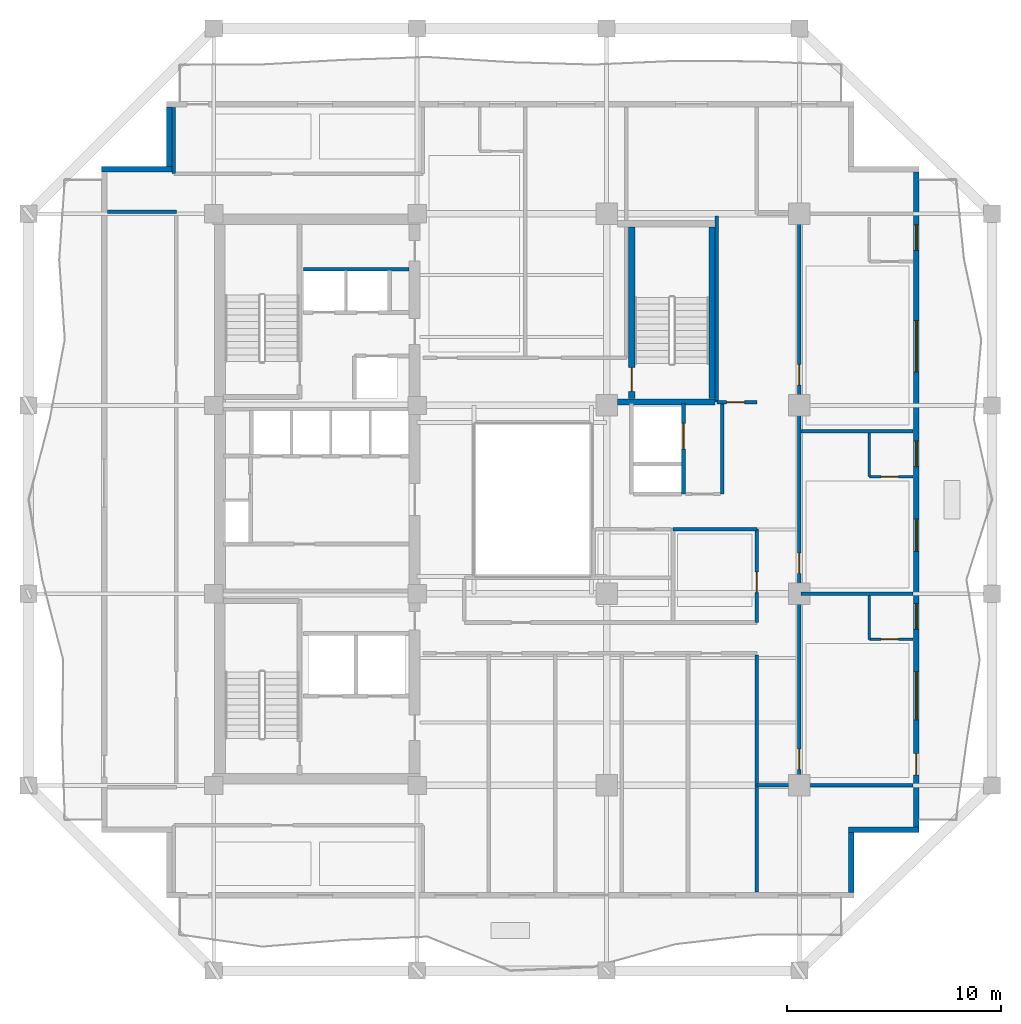
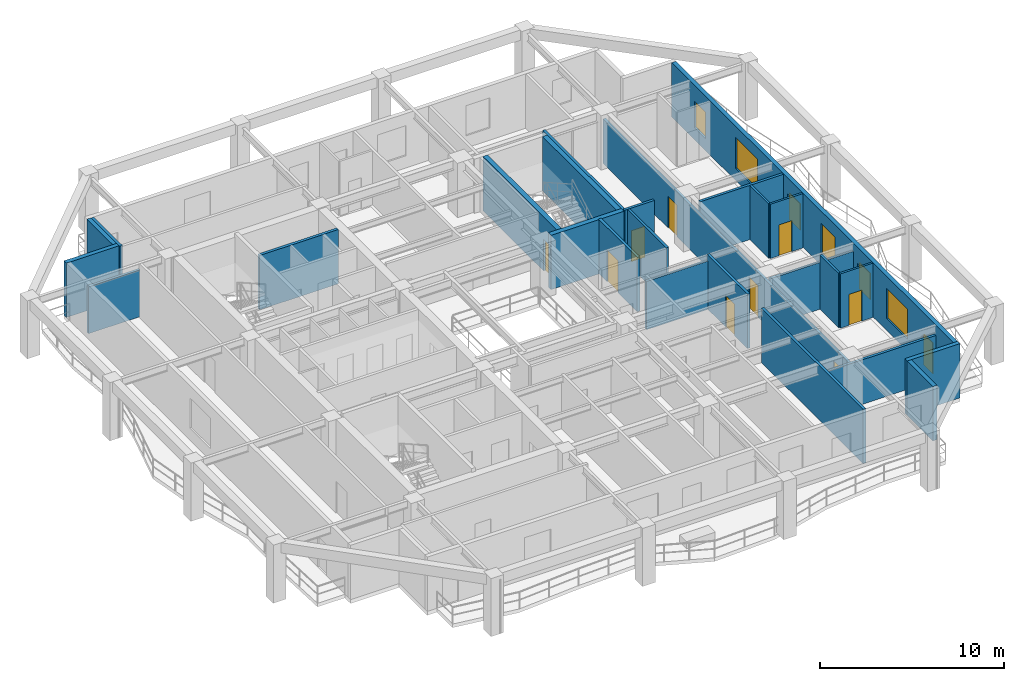
# One storey, part 5 of 10: 26 walls, 10 doors, 6 windows, 16 openings.
"""IFC4 building model written with IfcOpenShell, lengths in metres."""

from ifc_helpers import new_model, si_unit, direction, frame, frame_2d, origin, place, context, subcontext, project, spatial, rectangle, extrude, material, layer, layer_set, type_object, element, fill, save


model = new_model("IFC4")

# Units and contexts
model_context = context("Model", 3, precision=1e-05, world=origin(), true_north=direction((0.0, 1.0)))
body_context = subcontext(model_context, "Body", "Model", "MODEL_VIEW")
ifc_project = project(units=[si_unit("LENGTHUNIT", "METRE"), si_unit("AREAUNIT", "SQUARE_METRE"), si_unit("VOLUMEUNIT", "CUBIC_METRE"), si_unit("PLANEANGLEUNIT", "RADIAN"), si_unit("MASSUNIT", "GRAM", prefix="KILO")], contexts=[model_context])

# Site, building, storey
site_placement = place(None, origin())
site = spatial("IfcSite", under=ifc_project, at=site_placement, CompositionType="ELEMENT")
building_placement = place(site_placement, origin())
building = spatial("IfcBuilding", under=site, at=building_placement, Name="Kundavana Baori Tower", CompositionType="ELEMENT")
storey_placement = place(building_placement, frame((0.0, 0.0, 138.64990234375)))
storey = spatial("IfcBuildingStorey", under=building, at=storey_placement, Name="L33", CompositionType="ELEMENT", Elevation=138.64990234375)

# Walls
ifc_material_1 = material(Name="Kiln-Fired Terracotta Brick-Slip Masonry on Concrete C40/50", Category="masonry")
ifc_layer_1 = layer(ifc_material_1, 0.260009765625, Name="WL-EXT-BRK-260")
ifc_layer_set_1 = layer_set([ifc_layer_1], Name="Kiln-Fired Terracotta Brick-Slip Masonry on Concrete C40/50")
wall_type_1 = type_object("IfcWallType", Name="WL-EXT-BRK-260", PredefinedType="SOLIDWALL", material=ifc_layer_set_1)
wall_1_placement = place(storey_placement, frame((45.219970703125, 10.260009765625, 0.0), z_axis=(0.0, 0.0, 1.0), x_axis=(0.0, 1.0, 0.0)))
element("IfcWall", 1, at=wall_1_placement, inside=storey, type_object=wall_type_1, Name="L33 Exterior Insulated Facade Wall 02", PredefinedType="SOLIDWALL", context=body_context, shape_type="SweptSolid", body=[
    extrude(rectangle(XDim=2.7900390625, YDim=0.260009765625, at=frame_2d((1.39501953125, 0.0))), origin(), (0.0, 0.0, 1.0), 3.60009765625),
])
wall_2_placement = place(storey_placement, frame((45.090087890625, 13.179931640625, 0.0), z_axis=(0.0, 0.0, 1.0), x_axis=(1.0, 0.0, 0.0)))
element("IfcWall", 2, at=wall_2_placement, inside=storey, type_object=wall_type_1, Name="L33 Exterior Insulated Facade Wall 03", PredefinedType="SOLIDWALL", context=body_context, shape_type="SweptSolid", body=[
    extrude(rectangle(XDim=3.309814453125, YDim=0.260009765625, at=frame_2d((1.65478515625, 0.0))), origin(), (0.0, 0.0, 1.0), 3.60009765625),
])

# Wall, openings, door, windows
wall_3_placement = place(storey_placement, frame((48.27001953125, 13.31005859375, 0.0), z_axis=(0.0, 0.0, 1.0), x_axis=(0.0, 1.0, 0.0)))
wall_3 = element("IfcWall", 3, at=wall_3_placement, inside=storey, type_object=wall_type_1, Name="L33 Exterior Insulated Facade Wall 04", PredefinedType="SOLIDWALL", context=body_context, shape_type="SweptSolid", body=[
    extrude(rectangle(XDim=30.579833984375, YDim=0.260009765625, at=frame_2d((15.2900390625, 0.0))), origin(), (0.0, 0.0, 1.0), 3.60009765625),
])
opening_1_placement = place(wall_3_placement, frame((2.429931640625, 0.0, 0.0)))
opening_1 = element("IfcOpeningElement", 4, at=opening_1_placement, cuts=wall_3, Name="Opening BD-1", PredefinedType="OPENING", context=body_context, shape_type="SweptSolid", body=[
    extrude(rectangle(XDim=1.0, YDim=2.050048828125, at=frame_2d((0.5, 1.02490234375))), frame((0.0, 0.14013671875, 0.0), z_axis=(0.0, -1.0, 0.0), x_axis=(1.0, 0.0, 0.0)), (0.0, 0.0, 1.0), 0.280029296875),
])
opening_2_placement = place(wall_3_placement, frame((5.0, 0.0, 0.800048828125)))
opening_2 = element("IfcOpeningElement", 5, at=opening_2_placement, cuts=wall_3, Name="Opening W-10", PredefinedType="OPENING", context=body_context, shape_type="SweptSolid", body=[
    extrude(rectangle(XDim=2.25, YDim=2.0, at=frame_2d((1.125, 1.0))), frame((0.0, 0.14013671875, 0.0), z_axis=(0.0, -1.0, 0.0), x_axis=(1.0, 0.0, 0.0)), (0.0, 0.0, 1.0), 0.280029296875),
])
opening_3_placement = place(wall_3_placement, frame((9.22509765625, 0.0, 0.800048828125)))
opening_3 = element("IfcOpeningElement", 6, at=opening_3_placement, cuts=wall_3, Name="Opening W-03", PredefinedType="OPENING", context=body_context, shape_type="SweptSolid", body=[
    extrude(rectangle(XDim=1.199951171875, YDim=1.75, at=frame_2d((0.60009765625, 0.875))), frame((0.0, 0.14013671875, 0.0), z_axis=(0.0, -1.0, 0.0), x_axis=(1.0, 0.0, 0.0)), (0.0, 0.0, 1.0), 0.280029296875),
])
opening_4_placement = place(wall_3_placement, frame((12.875, 0.0, 0.800048828125)))
opening_4 = element("IfcOpeningElement", 7, at=opening_4_placement, cuts=wall_3, Name="Opening W-02", PredefinedType="OPENING", context=body_context, shape_type="SweptSolid", body=[
    extrude(rectangle(XDim=1.5, YDim=2.0, at=frame_2d((0.75, 1.0))), frame((0.0, 0.14013671875, 0.0), z_axis=(0.0, -1.0, 0.0), x_axis=(1.0, 0.0, 0.0)), (0.0, 0.0, 1.0), 0.280029296875),
])
opening_5_placement = place(wall_3_placement, frame((16.824951171875, 0.0, 0.800048828125)))
opening_5 = element("IfcOpeningElement", 8, at=opening_5_placement, cuts=wall_3, Name="Opening W-03", PredefinedType="OPENING", context=body_context, shape_type="SweptSolid", body=[
    extrude(rectangle(XDim=1.199951171875, YDim=1.75, at=frame_2d((0.60009765625, 0.875))), frame((0.0, 0.14013671875, 0.0), z_axis=(0.0, -1.0, 0.0), x_axis=(1.0, 0.0, 0.0)), (0.0, 0.0, 1.0), 0.280029296875),
])
opening_6_placement = place(wall_3_placement, frame((21.25, 0.0, 0.800048828125)))
opening_6 = element("IfcOpeningElement", 9, at=opening_6_placement, cuts=wall_3, Name="Opening W-04", PredefinedType="OPENING", context=body_context, shape_type="SweptSolid", body=[
    extrude(rectangle(XDim=2.39990234375, YDim=2.050048828125, at=frame_2d((1.199951171875, 1.02490234375))), frame((0.0, 0.14013671875, 0.0), z_axis=(0.0, -1.0, 0.0), x_axis=(1.0, 0.0, 0.0)), (0.0, 0.0, 1.0), 0.280029296875),
])
opening_7_placement = place(wall_3_placement, frame((26.925048828125, 0.0, 0.800048828125)))
opening_7 = element("IfcOpeningElement", 10, at=opening_7_placement, cuts=wall_3, Name="Opening W-03", PredefinedType="OPENING", context=body_context, shape_type="SweptSolid", body=[
    extrude(rectangle(XDim=1.199951171875, YDim=1.75, at=frame_2d((0.60009765625, 0.875))), frame((0.0, 0.14013671875, 0.0), z_axis=(0.0, -1.0, 0.0), x_axis=(1.0, 0.0, 0.0)), (0.0, 0.0, 1.0), 0.280029296875),
])
ifc_material_2 = material(Name="Architectural Patinated Bronze Metalwork")
door_type_1 = type_object("IfcDoorType", Name="DR-EXT-LOG-1000", OperationType="NOTDEFINED", PredefinedType="DOOR", material=ifc_material_2)
door_1_placement = place(opening_1_placement, frame((1.0, 0.0, 0.0), z_axis=(0.0, 0.0, 1.0), x_axis=(-1.0, 0.0, 0.0)))
door_1 = element("IfcDoor", 11, at=door_1_placement, inside=storey, type_object=door_type_1, Name="L33 Loggia Balcony Access Door E", OperationType="SINGLE_SWING_RIGHT", OverallHeight=2.050048828125, OverallWidth=1.0, PredefinedType="DOOR", context=body_context, shape_type="SweptSolid", body=[
    extrude(rectangle(XDim=1.0, YDim=2.050048828125, at=frame_2d((0.5, 1.02490234375))), frame((0.0, 0.02490234375, 0.0), z_axis=(0.0, -1.0, 0.0), x_axis=(1.0, 0.0, 0.0)), (0.0, 0.0, 1.0), 0.050048828125),
])
fill(opening_1, door_1)
ifc_material_3 = material(Name="Double-Glazed Solar-Control Low-E Insulated Glass", Category="glass")
window_type_1 = type_object("IfcWindowType", Name="WIN-LOG-1200x1750", PartitioningType="SINGLE_PANEL", PredefinedType="WINDOW", material=ifc_material_3)
window_1_placement = place(opening_3_placement, origin())
window_1 = element("IfcWindow", 12, at=window_1_placement, inside=storey, type_object=window_type_1, Name="L33 Recessed Loggia Window E-2", OverallHeight=1.75, OverallWidth=1.199951171875, PartitioningType="SINGLE_PANEL", PredefinedType="WINDOW", context=body_context, shape_type="SweptSolid", body=[
    extrude(rectangle(XDim=1.199951171875, YDim=1.75, at=frame_2d((0.60009765625, 0.875))), frame((0.0, 0.030029296875, 0.0), z_axis=(0.0, -1.0, 0.0), x_axis=(1.0, 0.0, 0.0)), (0.0, 0.0, 1.0), 0.06005859375),
])
fill(opening_3, window_1)
window_2_placement = place(opening_5_placement, origin())
window_2 = element("IfcWindow", 13, at=window_2_placement, inside=storey, type_object=window_type_1, Name="L33 Recessed Loggia Window E-4", OverallHeight=1.75, OverallWidth=1.199951171875, PartitioningType="SINGLE_PANEL", PredefinedType="WINDOW", context=body_context, shape_type="SweptSolid", body=[
    extrude(rectangle(XDim=1.199951171875, YDim=1.75, at=frame_2d((0.60009765625, 0.875))), frame((0.0, 0.030029296875, 0.0), z_axis=(0.0, -1.0, 0.0), x_axis=(1.0, 0.0, 0.0)), (0.0, 0.0, 1.0), 0.06005859375),
])
fill(opening_5, window_2)
window_3_placement = place(opening_7_placement, origin())
window_3 = element("IfcWindow", 14, at=window_3_placement, inside=storey, type_object=window_type_1, Name="L33 Recessed Loggia Window E-6", OverallHeight=1.75, OverallWidth=1.199951171875, PartitioningType="SINGLE_PANEL", PredefinedType="WINDOW", context=body_context, shape_type="SweptSolid", body=[
    extrude(rectangle(XDim=1.199951171875, YDim=1.75, at=frame_2d((0.60009765625, 0.875))), frame((0.0, 0.030029296875, 0.0), z_axis=(0.0, -1.0, 0.0), x_axis=(1.0, 0.0, 0.0)), (0.0, 0.0, 1.0), 0.06005859375),
])
fill(opening_7, window_3)
ifc_material_4 = material(Name="Double-Glazed Solar-Control Low-E Insulated Glass", Category="glass")
window_type_2 = type_object("IfcWindowType", Name="WIN-LOG-1500x2000", PartitioningType="SINGLE_PANEL", PredefinedType="WINDOW", material=ifc_material_4)
window_4_placement = place(opening_4_placement, origin())
window_4 = element("IfcWindow", 15, at=window_4_placement, inside=storey, type_object=window_type_2, Name="L33 Recessed Loggia Window E-3", OverallHeight=2.0, OverallWidth=1.5, PartitioningType="SINGLE_PANEL", PredefinedType="WINDOW", context=body_context, shape_type="SweptSolid", body=[
    extrude(rectangle(XDim=1.5, YDim=2.0, at=frame_2d((0.75, 1.0))), frame((0.0, 0.030029296875, 0.0), z_axis=(0.0, -1.0, 0.0), x_axis=(1.0, 0.0, 0.0)), (0.0, 0.0, 1.0), 0.06005859375),
])
fill(opening_4, window_4)
ifc_material_5 = material(Name="Double-Glazed Solar-Control Low-E Insulated Glass", Category="glass")
window_type_3 = type_object("IfcWindowType", Name="WIN-LOG-2250x2000", PartitioningType="SINGLE_PANEL", PredefinedType="WINDOW", material=ifc_material_5)
window_5_placement = place(opening_2_placement, origin())
window_5 = element("IfcWindow", 16, at=window_5_placement, inside=storey, type_object=window_type_3, Name="L33 Recessed Loggia Window E-1", OverallHeight=2.0, OverallWidth=2.25, PartitioningType="SINGLE_PANEL", PredefinedType="WINDOW", context=body_context, shape_type="SweptSolid", body=[
    extrude(rectangle(XDim=2.25, YDim=2.0, at=frame_2d((1.125, 1.0))), frame((0.0, 0.030029296875, 0.0), z_axis=(0.0, -1.0, 0.0), x_axis=(1.0, 0.0, 0.0)), (0.0, 0.0, 1.0), 0.06005859375),
])
fill(opening_2, window_5)
ifc_material_6 = material(Name="Double-Glazed Solar-Control Low-E Insulated Glass", Category="glass")
window_type_4 = type_object("IfcWindowType", Name="WIN-LOG-2400x2050", PartitioningType="SINGLE_PANEL", PredefinedType="WINDOW", material=ifc_material_6)
window_6_placement = place(opening_6_placement, origin())
window_6 = element("IfcWindow", 17, at=window_6_placement, inside=storey, type_object=window_type_4, Name="L33 Recessed Loggia Window E-5", OverallHeight=2.050048828125, OverallWidth=2.39990234375, PartitioningType="SINGLE_PANEL", PredefinedType="WINDOW", context=body_context, shape_type="SweptSolid", body=[
    extrude(rectangle(XDim=2.39990234375, YDim=2.050048828125, at=frame_2d((1.199951171875, 1.02490234375))), frame((0.0, 0.030029296875, 0.0), z_axis=(0.0, -1.0, 0.0), x_axis=(1.0, 0.0, 0.0)), (0.0, 0.0, 1.0), 0.06005859375),
])
fill(opening_6, window_6)

# Walls
wall_4_placement = place(storey_placement, frame((13.3798828125, 46.93994140625, 0.0), z_axis=(0.0, 0.0, 1.0), x_axis=(0.0, -1.0, 0.0)))
element("IfcWall", 18, at=wall_4_placement, inside=storey, type_object=wall_type_1, Name="L33 Exterior Insulated Facade Wall 08", PredefinedType="SOLIDWALL", context=body_context, shape_type="SweptSolid", body=[
    extrude(rectangle(XDim=2.7900390625, YDim=0.260009765625, at=frame_2d((1.39501953125, 0.0))), origin(), (0.0, 0.0, 1.0), 3.60009765625),
])
wall_5_placement = place(storey_placement, frame((13.510009765625, 44.02001953125, 0.0), z_axis=(0.0, 0.0, 1.0), x_axis=(-1.0, 0.0, 0.0)))
element("IfcWall", 19, at=wall_5_placement, inside=storey, type_object=wall_type_1, Name="L33 Exterior Insulated Facade Wall 09", PredefinedType="SOLIDWALL", context=body_context, shape_type="SweptSolid", body=[
    extrude(rectangle(XDim=3.31005859375, YDim=0.260009765625, at=frame_2d((1.655029296875, 0.0))), origin(), (0.0, 0.0, 1.0), 3.60009765625),
])
ifc_material_7 = material(Name="Fire-Rated Gypsum Drywall on Galvanised Steel Studs", Category="steel")
ifc_layer_2 = layer(ifc_material_7, 0.14990234375, Name="WL-PART-150")
ifc_layer_set_2 = layer_set([ifc_layer_2], Name="Fire-Rated Gypsum Drywall on Galvanised Steel Studs")
wall_type_2 = type_object("IfcWallType", Name="WL-PART-150", PredefinedType="PARTITIONING", material=ifc_layer_set_2)
wall_6_placement = place(storey_placement, frame((39.199951171875, 28.860107421875, 0.0), z_axis=(0.0, 0.0, 1.0), x_axis=(0.0, 1.0, 0.0)))
element("IfcWall", 20, at=wall_6_placement, inside=storey, type_object=wall_type_2, Name="WL-L33-SVLOB-E", PredefinedType="PARTITIONING", context=body_context, shape_type="SweptSolid", body=[
    extrude(rectangle(XDim=4.219970703125, YDim=0.14990234375, at=frame_2d((2.10986328125, 0.0))), origin(), (0.0, 0.0, 1.0), 3.60009765625),
])

# Wall, openings, doors
ifc_material_8 = material(Name="Fire-Rated Gypsum Drywall on Galvanised Steel Studs", Category="steel")
ifc_layer_3 = layer(ifc_material_8, 0.1650390625, Name="WL-PART-165")
ifc_layer_set_3 = layer_set([ifc_layer_3], Name="Fire-Rated Gypsum Drywall on Galvanised Steel Studs")
wall_type_3 = type_object("IfcWallType", Name="WL-PART-165", PredefinedType="PARTITIONING", material=ifc_layer_set_3)
wall_7_placement = place(storey_placement, frame((42.800048828125, 15.25, 0.0), z_axis=(0.0, 0.0, 1.0), x_axis=(0.0, 1.0, 0.0)))
wall_7 = element("IfcWall", 21, at=wall_7_placement, inside=storey, type_object=wall_type_3, Name="WL-L33-HE", PredefinedType="PARTITIONING", context=body_context, shape_type="SweptSolid", body=[
    extrude(rectangle(XDim=26.699951171875, YDim=0.1650390625, at=frame_2d((13.35009765625, 0.0))), origin(), (0.0, 0.0, 1.0), 2.9501953125),
])
opening_8_placement = place(wall_7_placement, frame((0.75, 0.0, 0.0)))
opening_8 = element("IfcOpeningElement", 22, at=opening_8_placement, cuts=wall_7, Name="Opening FD-095", PredefinedType="OPENING", context=body_context, shape_type="SweptSolid", body=[
    extrude(rectangle(XDim=0.949951171875, YDim=2.10009765625, at=frame_2d((0.47509765625, 1.050048828125))), frame((0.0, 0.092529296875, 0.0), z_axis=(0.0, -1.0, 0.0), x_axis=(1.0, 0.0, 0.0)), (0.0, 0.0, 1.0), 0.18505859375),
])
opening_9_placement = place(wall_7_placement, frame((9.89990234375, 0.0, 0.0)))
opening_9 = element("IfcOpeningElement", 23, at=opening_9_placement, cuts=wall_7, Name="Opening FD-095", PredefinedType="OPENING", context=body_context, shape_type="SweptSolid", body=[
    extrude(rectangle(XDim=0.949951171875, YDim=2.10009765625, at=frame_2d((0.47509765625, 1.050048828125))), frame((0.0, 0.092529296875, 0.0), z_axis=(0.0, -1.0, 0.0), x_axis=(1.0, 0.0, 0.0)), (0.0, 0.0, 1.0), 0.18505859375),
])
opening_10_placement = place(wall_7_placement, frame((18.699951171875, 0.0, 0.0)))
opening_10 = element("IfcOpeningElement", 24, at=opening_10_placement, cuts=wall_7, Name="Opening FD-095", PredefinedType="OPENING", context=body_context, shape_type="SweptSolid", body=[
    extrude(rectangle(XDim=0.949951171875, YDim=2.10009765625, at=frame_2d((0.47509765625, 1.050048828125))), frame((0.0, 0.092529296875, 0.0), z_axis=(0.0, -1.0, 0.0), x_axis=(1.0, 0.0, 0.0)), (0.0, 0.0, 1.0), 0.18505859375),
])
ifc_material_9 = material(Name="Engineered Teak Fire-Rated Timber Door Leaf", Category="wood")
door_type_2 = type_object("IfcDoorType", Name="DR-FD60-950", OperationType="NOTDEFINED", PredefinedType="DOOR", material=ifc_material_9)
door_2_placement = place(opening_8_placement, origin())
door_2 = element("IfcDoor", 25, at=door_2_placement, inside=storey, type_object=door_type_2, Name="DR-L33-HK-E1-ENT", OperationType="SINGLE_SWING_LEFT", OverallHeight=2.10009765625, OverallWidth=0.949951171875, PredefinedType="DOOR", context=body_context, shape_type="SweptSolid", body=[
    extrude(rectangle(XDim=0.949951171875, YDim=2.10009765625, at=frame_2d((0.47509765625, 1.050048828125))), frame((0.0, 0.02490234375, 0.0), z_axis=(0.0, -1.0, 0.0), x_axis=(1.0, 0.0, 0.0)), (0.0, 0.0, 1.0), 0.050048828125),
])
fill(opening_8, door_2)
door_3_placement = place(opening_9_placement, origin())
door_3 = element("IfcDoor", 26, at=door_3_placement, inside=storey, type_object=door_type_2, Name="DR-L33-HK-E2-ENT", OperationType="SINGLE_SWING_LEFT", OverallHeight=2.10009765625, OverallWidth=0.949951171875, PredefinedType="DOOR", context=body_context, shape_type="SweptSolid", body=[
    extrude(rectangle(XDim=0.949951171875, YDim=2.10009765625, at=frame_2d((0.47509765625, 1.050048828125))), frame((0.0, 0.02490234375, 0.0), z_axis=(0.0, -1.0, 0.0), x_axis=(1.0, 0.0, 0.0)), (0.0, 0.0, 1.0), 0.050048828125),
])
fill(opening_9, door_3)
door_4_placement = place(opening_10_placement, origin())
door_4 = element("IfcDoor", 27, at=door_4_placement, inside=storey, type_object=door_type_2, Name="DR-L33-HK-E3-ENT", OperationType="SINGLE_SWING_LEFT", OverallHeight=2.10009765625, OverallWidth=0.949951171875, PredefinedType="DOOR", context=body_context, shape_type="SweptSolid", body=[
    extrude(rectangle(XDim=0.949951171875, YDim=2.10009765625, at=frame_2d((0.47509765625, 1.050048828125))), frame((0.0, 0.02490234375, 0.0), z_axis=(0.0, -1.0, 0.0), x_axis=(1.0, 0.0, 0.0)), (0.0, 0.0, 1.0), 0.050048828125),
])
fill(opening_10, door_4)

# Wall
wall_8_placement = place(storey_placement, frame((40.820068359375, 15.25, 0.0), z_axis=(0.0, 0.0, 1.0), x_axis=(1.0, 0.0, 0.0)))
element("IfcWall", 28, at=wall_8_placement, inside=storey, type_object=wall_type_3, Name="WL-L33-HES", PredefinedType="PARTITIONING", context=body_context, shape_type="SweptSolid", body=[
    extrude(rectangle(XDim=7.300048828125, YDim=0.1650390625, at=frame_2d((3.64990234375, 0.0))), origin(), (0.0, 0.0, 1.0), 2.9501953125),
])

# Wall, opening, door
wall_9_placement = place(storey_placement, frame((40.820068359375, 22.860107421875, 0.0), z_axis=(0.0, 0.0, 1.0), x_axis=(0.0, 1.0, 0.0)))
wall_9 = element("IfcWall", 29, at=wall_9_placement, inside=storey, type_object=wall_type_3, Name="WL-L33-HEW", PredefinedType="PARTITIONING", context=body_context, shape_type="SweptSolid", body=[
    extrude(rectangle(XDim=4.35986328125, YDim=0.1650390625, at=frame_2d((2.179931640625, 0.0))), origin(), (0.0, 0.0, 1.0), 3.60009765625),
])
opening_11_placement = place(wall_9_placement, frame((1.39990234375, 0.0, 0.0)))
opening_11 = element("IfcOpeningElement", 30, at=opening_11_placement, cuts=wall_9, Name="Opening FD-095", PredefinedType="OPENING", context=body_context, shape_type="SweptSolid", body=[
    extrude(rectangle(XDim=0.949951171875, YDim=2.10009765625, at=frame_2d((0.47509765625, 1.050048828125))), frame((0.0, 0.092529296875, 0.0), z_axis=(0.0, -1.0, 0.0), x_axis=(1.0, 0.0, 0.0)), (0.0, 0.0, 1.0), 0.18505859375),
])
door_5_placement = place(opening_11_placement, frame((0.949951171875, 0.0, 0.0), z_axis=(0.0, 0.0, 1.0), x_axis=(-1.0, 0.0, 0.0)))
door_5 = element("IfcDoor", 31, at=door_5_placement, inside=storey, type_object=door_type_2, Name="DR-L33-HSK", OperationType="SINGLE_SWING_RIGHT", OverallHeight=2.10009765625, OverallWidth=0.949951171875, PredefinedType="DOOR", context=body_context, shape_type="SweptSolid", body=[
    extrude(rectangle(XDim=0.949951171875, YDim=2.10009765625, at=frame_2d((0.47509765625, 1.050048828125))), frame((0.0, 0.02490234375, 0.0), z_axis=(0.0, -1.0, 0.0), x_axis=(1.0, 0.0, 0.0)), (0.0, 0.0, 1.0), 0.050048828125),
])
fill(opening_11, door_5)

# Walls
wall_10_placement = place(storey_placement, frame((10.47998046875, 42.0400390625, 0.0), z_axis=(0.0, 0.0, 1.0), x_axis=(1.0, 0.0, 0.0)))
element("IfcWall", 32, at=wall_10_placement, inside=storey, type_object=wall_type_3, Name="WL-L33-HWN", PredefinedType="PARTITIONING", context=body_context, shape_type="SweptSolid", body=[
    extrude(rectangle(XDim=3.219970703125, YDim=0.1650390625, at=frame_2d((1.60986328125, 0.0))), origin(), (0.0, 0.0, 1.0), 3.10009765625),
])
wall_11_placement = place(storey_placement, frame((13.590087890625, 43.820068359375, 0.0), z_axis=(0.0, 0.0, 1.0), x_axis=(0.0, 1.0, 0.0)))
element("IfcWall", 33, at=wall_11_placement, inside=storey, type_object=wall_type_3, Name="WL-L33-HNCW", PredefinedType="PARTITIONING", context=body_context, shape_type="SweptSolid", body=[
    extrude(rectangle(XDim=3.099853515625, YDim=0.1650390625, at=frame_2d((1.5498046875, 0.0))), origin(), (0.0, 0.0, 1.0), 3.60009765625),
])
wall_12_placement = place(storey_placement, frame((36.89990234375, 27.219970703125, 0.0), z_axis=(0.0, 0.0, 1.0), x_axis=(1.0, 0.0, 0.0)))
element("IfcWall", 34, at=wall_12_placement, inside=storey, type_object=wall_type_3, Name="WL-L33-HKN", PredefinedType="PARTITIONING", context=body_context, shape_type="SweptSolid", body=[
    extrude(rectangle(XDim=3.920166015625, YDim=0.1650390625, at=frame_2d((1.9599609375, 0.0))), origin(), (0.0, 0.0, 1.0), 3.2001953125),
])
wall_13_placement = place(storey_placement, frame((40.820068359375, 10.280029296875, 0.0), z_axis=(0.0, 0.0, 1.0), x_axis=(0.0, 1.0, 0.0)))
element("IfcWall", 35, at=wall_13_placement, inside=storey, type_object=wall_type_3, Name="WL-L33-HSEND", PredefinedType="PARTITIONING", context=body_context, shape_type="SweptSolid", body=[
    extrude(rectangle(XDim=11.06005859375, YDim=0.1650390625, at=frame_2d((5.530029296875, 0.0))), origin(), (0.0, 0.0, 1.0), 3.60009765625),
])
wall_14_placement = place(storey_placement, frame((42.8798828125, 24.199951171875, 0.0), z_axis=(0.0, 0.0, 1.0), x_axis=(1.0, 0.0, 0.0)))
element("IfcWall", 36, at=wall_14_placement, inside=storey, type_object=wall_type_3, Name="WL-L33-HED1", PredefinedType="PARTITIONING", context=body_context, shape_type="SweptSolid", body=[
    extrude(rectangle(XDim=5.240234375, YDim=0.1650390625, at=frame_2d((2.6201171875, 0.0))), origin(), (0.0, 0.0, 1.0), 3.10009765625),
])
wall_15_placement = place(storey_placement, frame((42.8798828125, 31.800048828125, 0.0), z_axis=(0.0, 0.0, 1.0), x_axis=(1.0, 0.0, 0.0)))
element("IfcWall", 37, at=wall_15_placement, inside=storey, type_object=wall_type_3, Name="WL-L33-HED2", PredefinedType="PARTITIONING", context=body_context, shape_type="SweptSolid", body=[
    extrude(rectangle(XDim=5.240234375, YDim=0.1650390625, at=frame_2d((2.6201171875, 0.0))), origin(), (0.0, 0.0, 1.0), 3.60009765625),
])

# Wall, opening, door
wall_16_placement = place(storey_placement, frame((38.949951171875, 33.14990234375, 0.0), z_axis=(0.0, 0.0, 1.0), x_axis=(1.0, 0.0, 0.0)))
wall_16 = element("IfcWall", 38, at=wall_16_placement, inside=storey, type_object=wall_type_3, Name="WL-L33-HNES", PredefinedType="PARTITIONING", context=body_context, shape_type="SweptSolid", body=[
    extrude(rectangle(XDim=1.8701171875, YDim=0.1650390625, at=frame_2d((0.93505859375, 0.0))), origin(), (0.0, 0.0, 1.0), 3.60009765625),
])
opening_12_placement = place(wall_16_placement, frame((0.449951171875, 0.0, 0.0)))
opening_12 = element("IfcOpeningElement", 39, at=opening_12_placement, cuts=wall_16, Name="Opening WD-085", PredefinedType="OPENING", context=body_context, shape_type="SweptSolid", body=[
    extrude(rectangle(XDim=0.85009765625, YDim=2.050048828125, at=frame_2d((0.425048828125, 1.02490234375))), frame((0.0, 0.092529296875, 0.0), z_axis=(0.0, -1.0, 0.0), x_axis=(1.0, 0.0, 0.0)), (0.0, 0.0, 1.0), 0.18505859375),
])
ifc_material_10 = material(Name="Engineered Teak Solid-Core Timber Veneer", Category="wood")
door_type_3 = type_object("IfcDoorType", Name="DR-WET-850", OperationType="NOTDEFINED", PredefinedType="DOOR", material=ifc_material_10)
door_6_placement = place(opening_12_placement, origin())
door_6 = element("IfcDoor", 40, at=door_6_placement, inside=storey, type_object=door_type_3, Name="DR-L33-HLNE", OperationType="SINGLE_SWING_LEFT", OverallHeight=2.050048828125, OverallWidth=0.85009765625, PredefinedType="DOOR", context=body_context, shape_type="SweptSolid", body=[
    extrude(rectangle(XDim=0.85009765625, YDim=2.050048828125, at=frame_2d((0.425048828125, 1.02490234375))), frame((0.0, 0.02490234375, 0.0), z_axis=(0.0, -1.0, 0.0), x_axis=(1.0, 0.0, 0.0)), (0.0, 0.0, 1.0), 0.050048828125),
])
fill(opening_12, door_6)

# Walls
wall_17_placement = place(storey_placement, frame((38.949951171875, 33.14990234375, 0.0), z_axis=(0.0, 0.0, 1.0), x_axis=(0.0, 1.0, 0.0)))
element("IfcWall", 41, at=wall_17_placement, inside=storey, type_object=wall_type_3, Name="WL-L33-HNEW", PredefinedType="PARTITIONING", context=body_context, shape_type="SweptSolid", body=[
    extrude(rectangle(XDim=8.7001953125, YDim=0.1650390625, at=frame_2d((4.35009765625, 0.0))), origin(), (0.0, 0.0, 1.0), 3.60009765625),
])
ifc_material_11 = material(Name="Autoclaved Aerated Concrete Blockwork Masonry", Category="masonry")
ifc_layer_4 = layer(ifc_material_11, 0.179931640625, Name="WL-SHAFT-180")
ifc_layer_set_4 = layer_set([ifc_layer_4], Name="Autoclaved Aerated Concrete Blockwork Masonry")
wall_type_4 = type_object("IfcWallType", Name="WL-SHAFT-180", PredefinedType="SOLIDWALL", material=ifc_layer_set_4)
wall_18_placement = place(storey_placement, frame((19.639892578125, 39.360107421875, 0.0), z_axis=(0.0, 0.0, 1.0), x_axis=(1.0, 0.0, 0.0)))
element("IfcWall", 42, at=wall_18_placement, inside=storey, type_object=wall_type_4, Name="WL-L33-HRLOB-TOP", PredefinedType="SOLIDWALL", context=body_context, shape_type="SweptSolid", body=[
    extrude(rectangle(XDim=4.940185546875, YDim=0.179931640625, at=frame_2d((2.47021484375, 0.0))), origin(), (0.0, 0.0, 1.0), 3.60009765625),
])

# Wall, opening, door
wall_19_placement = place(storey_placement, frame((37.389892578125, 28.860107421875, 0.0), z_axis=(0.0, 0.0, 1.0), x_axis=(0.0, 1.0, 0.0)))
wall_19 = element("IfcWall", 43, at=wall_19_placement, inside=storey, type_object=wall_type_4, Name="WL-L33-SVL-E", PredefinedType="SOLIDWALL", context=body_context, shape_type="SweptSolid", body=[
    extrude(rectangle(XDim=4.219970703125, YDim=0.179931640625, at=frame_2d((2.10986328125, 0.0))), origin(), (0.0, 0.0, 1.0), 3.60009765625),
])
opening_13_placement = place(wall_19_placement, frame((2.10009765625, 0.0, 0.0)))
opening_13 = element("IfcOpeningElement", 44, at=opening_13_placement, cuts=wall_19, Name="Opening LD-120", PredefinedType="OPENING", context=body_context, shape_type="SweptSolid", body=[
    extrude(rectangle(XDim=1.199951171875, YDim=2.1201171875, at=frame_2d((0.60009765625, 1.06005859375))), frame((0.0, 0.10009765625, 0.0), z_axis=(0.0, -1.0, 0.0), x_axis=(1.0, 0.0, 0.0)), (0.0, 0.0, 1.0), 0.199951171875),
])
ifc_material_12 = material(Name="Galvanised Steel Fire-Rated Door Leaf", Category="steel")
door_type_4 = type_object("IfcDoorType", Name="DR-SLIDE-LD1200", OperationType="NOTDEFINED", PredefinedType="DOOR", material=ifc_material_12)
door_7_placement = place(opening_13_placement, frame((1.199951171875, 0.0, 0.0), z_axis=(0.0, 0.0, 1.0), x_axis=(-1.0, 0.0, 0.0)))
door_7 = element("IfcDoor", 45, at=door_7_placement, inside=storey, type_object=door_type_4, Name="DR-L33-LD-SVL1", OperationType="DOUBLE_DOOR_SLIDING", OverallHeight=2.1201171875, OverallWidth=1.199951171875, PredefinedType="DOOR", context=body_context, shape_type="SweptSolid", body=[
    extrude(rectangle(XDim=1.199951171875, YDim=2.1201171875, at=frame_2d((0.60009765625, 1.06005859375))), frame((0.0, 0.02490234375, 0.0), z_axis=(0.0, -1.0, 0.0), x_axis=(1.0, 0.0, 0.0)), (0.0, 0.0, 1.0), 0.050048828125),
])
fill(opening_13, door_7)

# Wall
ifc_material_13 = material(Name="Concrete C50/60", Category="concrete")
ifc_layer_5 = layer(ifc_material_13, 0.300048828125, Name="WL-ST3-300")
ifc_layer_set_5 = layer_set([ifc_layer_5], Name="Concrete C50/60")
wall_type_5 = type_object("IfcWallType", Name="WL-ST3-300", PredefinedType="SHEAR", material=ifc_layer_set_5)
wall_20_placement = place(storey_placement, frame((34.300048828125, 33.159912109375, 0.0), z_axis=(0.0, 0.0, 1.0), x_axis=(1.0, 0.0, 0.0)))
element("IfcWall", 46, at=wall_20_placement, inside=storey, type_object=wall_type_5, Name="L33 Stair ST3 South Shear Wall", PredefinedType="SHEAR", context=body_context, shape_type="SweptSolid", body=[
    extrude(rectangle(XDim=4.570068359375, YDim=0.300048828125, at=frame_2d((2.28515625, 0.0))), origin(), (0.0, 0.0, 1.0), 3.60009765625),
])

# Wall, opening, door
wall_21_placement = place(storey_placement, frame((34.97998046875, 33.31005859375, 0.0), z_axis=(0.0, 0.0, 1.0), x_axis=(0.0, 1.0, 0.0)))
wall_21 = element("IfcWall", 47, at=wall_21_placement, inside=storey, type_object=wall_type_5, Name="L33 Stair ST3 West Shear Wall", PredefinedType="SHEAR", context=body_context, shape_type="SweptSolid", body=[
    extrude(rectangle(XDim=8.030029296875, YDim=0.300048828125, at=frame_2d((4.01513671875, 0.0))), origin(), (0.0, 0.0, 1.0), 3.60009765625),
])
opening_14_placement = place(wall_21_placement, frame((0.35009765625, 0.0, 0.0)))
opening_14 = element("IfcOpeningElement", 48, at=opening_14_placement, cuts=wall_21, Name="Opening FD-110", PredefinedType="OPENING", context=body_context, shape_type="SweptSolid", body=[
    extrude(rectangle(XDim=1.10009765625, YDim=2.10009765625, at=frame_2d((0.550048828125, 1.050048828125))), frame((0.0, 0.16015625, 0.0), z_axis=(0.0, -1.0, 0.0), x_axis=(1.0, 0.0, 0.0)), (0.0, 0.0, 1.0), 0.320068359375),
])
ifc_material_14 = material(Name="Galvanised Steel Fire-Rated Door Leaf", Category="steel")
door_type_5 = type_object("IfcDoorType", Name="DR-FD120-1100", OperationType="NOTDEFINED", PredefinedType="DOOR", material=ifc_material_14)
door_8_placement = place(opening_14_placement, origin())
door_8 = element("IfcDoor", 49, at=door_8_placement, inside=storey, type_object=door_type_5, Name="DR-L33-ST3-W", OperationType="SINGLE_SWING_LEFT", OverallHeight=2.10009765625, OverallWidth=1.10009765625, PredefinedType="DOOR", context=body_context, shape_type="SweptSolid", body=[
    extrude(rectangle(XDim=1.10009765625, YDim=2.10009765625, at=frame_2d((0.550048828125, 1.050048828125))), frame((0.0, 0.02490234375, 0.0), z_axis=(0.0, -1.0, 0.0), x_axis=(1.0, 0.0, 0.0)), (0.0, 0.0, 1.0), 0.050048828125),
])
fill(opening_14, door_8)

# Walls
wall_22_placement = place(storey_placement, frame((38.719970703125, 33.31005859375, 0.0), z_axis=(0.0, 0.0, 1.0), x_axis=(0.0, 1.0, 0.0)))
element("IfcWall", 50, at=wall_22_placement, inside=storey, type_object=wall_type_5, Name="L33 Stair ST3 East Shear Wall", PredefinedType="SHEAR", context=body_context, shape_type="SweptSolid", body=[
    extrude(rectangle(XDim=8.030029296875, YDim=0.300048828125, at=frame_2d((4.01513671875, 0.0))), origin(), (0.0, 0.0, 1.0), 3.60009765625),
])
ifc_material_15 = material(Name="Autoclaved Aerated Concrete Blockwork Masonry", Category="masonry")
ifc_layer_6 = layer(ifc_material_15, 0.125, Name="WL-WET-120")
ifc_layer_set_6 = layer_set([ifc_layer_6], Name="Autoclaved Aerated Concrete Blockwork Masonry")
wall_type_6 = type_object("IfcWallType", Name="WL-WET-120", PredefinedType="PLUMBINGWALL", material=ifc_layer_set_6)
wall_23_placement = place(storey_placement, frame((46.070068359375, 22.070068359375, 0.0), z_axis=(0.0, 0.0, 1.0), x_axis=(0.0, 1.0, 0.0)))
element("IfcWall", 51, at=wall_23_placement, inside=storey, type_object=wall_type_6, Name="WL-L33-HK-E1-BW", PredefinedType="PLUMBINGWALL", context=body_context, shape_type="SweptSolid", body=[
    extrude(rectangle(XDim=2.050048828125, YDim=0.125, at=frame_2d((1.02490234375, 0.0))), origin(), (0.0, 0.0, 1.0), 3.60009765625),
])

# Wall, opening, door
wall_24_placement = place(storey_placement, frame((46.070068359375, 22.070068359375, 0.0), z_axis=(0.0, 0.0, 1.0), x_axis=(1.0, 0.0, 0.0)))
wall_24 = element("IfcWall", 52, at=wall_24_placement, inside=storey, type_object=wall_type_6, Name="WL-L33-HK-E1-BS", PredefinedType="PLUMBINGWALL", context=body_context, shape_type="SweptSolid", body=[
    extrude(rectangle(XDim=2.050048828125, YDim=0.125, at=frame_2d((1.02490234375, 0.0))), origin(), (0.0, 0.0, 1.0), 3.60009765625),
])
opening_15_placement = place(wall_24_placement, frame((0.550048828125, 0.0, 0.0)))
opening_15 = element("IfcOpeningElement", 53, at=opening_15_placement, cuts=wall_24, Name="Opening WD-080", PredefinedType="OPENING", context=body_context, shape_type="SweptSolid", body=[
    extrude(rectangle(XDim=0.800048828125, YDim=2.050048828125, at=frame_2d((0.39990234375, 1.02490234375))), frame((0.0, 0.072509765625, 0.0), z_axis=(0.0, -1.0, 0.0), x_axis=(1.0, 0.0, 0.0)), (0.0, 0.0, 1.0), 0.14501953125),
])
ifc_material_16 = material(Name="Engineered Teak Solid-Core Timber Veneer", Category="wood")
door_type_6 = type_object("IfcDoorType", Name="DR-WET-800", OperationType="NOTDEFINED", PredefinedType="DOOR", material=ifc_material_16)
door_9_placement = place(opening_15_placement, frame((0.800048828125, 0.0, 0.0), z_axis=(0.0, 0.0, 1.0), x_axis=(-1.0, 0.0, 0.0)))
door_9 = element("IfcDoor", 54, at=door_9_placement, inside=storey, type_object=door_type_6, Name="DR-L33-HK-E1-ENS", OperationType="SINGLE_SWING_LEFT", OverallHeight=2.050048828125, OverallWidth=0.800048828125, PredefinedType="DOOR", context=body_context, shape_type="SweptSolid", body=[
    extrude(rectangle(XDim=0.800048828125, YDim=2.050048828125, at=frame_2d((0.39990234375, 1.02490234375))), frame((0.0, 0.02490234375, 0.0), z_axis=(0.0, -1.0, 0.0), x_axis=(1.0, 0.0, 0.0)), (0.0, 0.0, 1.0), 0.050048828125),
])
fill(opening_15, door_9)

# Wall
wall_25_placement = place(storey_placement, frame((46.070068359375, 29.669921875, 0.0), z_axis=(0.0, 0.0, 1.0), x_axis=(0.0, 1.0, 0.0)))
element("IfcWall", 55, at=wall_25_placement, inside=storey, type_object=wall_type_6, Name="WL-L33-HK-E2-BW", PredefinedType="PLUMBINGWALL", context=body_context, shape_type="SweptSolid", body=[
    extrude(rectangle(XDim=2.050048828125, YDim=0.125, at=frame_2d((1.02490234375, 0.0))), origin(), (0.0, 0.0, 1.0), 3.60009765625),
])

# Wall, opening, door
wall_26_placement = place(storey_placement, frame((46.070068359375, 29.669921875, 0.0), z_axis=(0.0, 0.0, 1.0), x_axis=(1.0, 0.0, 0.0)))
wall_26 = element("IfcWall", 56, at=wall_26_placement, inside=storey, type_object=wall_type_6, Name="WL-L33-HK-E2-BS", PredefinedType="PLUMBINGWALL", context=body_context, shape_type="SweptSolid", body=[
    extrude(rectangle(XDim=2.050048828125, YDim=0.125, at=frame_2d((1.02490234375, 0.0))), origin(), (0.0, 0.0, 1.0), 3.60009765625),
])
opening_16_placement = place(wall_26_placement, frame((0.550048828125, 0.0, 0.0)))
opening_16 = element("IfcOpeningElement", 57, at=opening_16_placement, cuts=wall_26, Name="Opening WD-080", PredefinedType="OPENING", context=body_context, shape_type="SweptSolid", body=[
    extrude(rectangle(XDim=0.800048828125, YDim=2.050048828125, at=frame_2d((0.39990234375, 1.02490234375))), frame((0.0, 0.072509765625, 0.0), z_axis=(0.0, -1.0, 0.0), x_axis=(1.0, 0.0, 0.0)), (0.0, 0.0, 1.0), 0.14501953125),
])
door_10_placement = place(opening_16_placement, frame((0.800048828125, 0.0, 0.0), z_axis=(0.0, 0.0, 1.0), x_axis=(-1.0, 0.0, 0.0)))
door_10 = element("IfcDoor", 58, at=door_10_placement, inside=storey, type_object=door_type_6, Name="DR-L33-HK-E2-ENS", OperationType="SINGLE_SWING_LEFT", OverallHeight=2.050048828125, OverallWidth=0.800048828125, PredefinedType="DOOR", context=body_context, shape_type="SweptSolid", body=[
    extrude(rectangle(XDim=0.800048828125, YDim=2.050048828125, at=frame_2d((0.39990234375, 1.02490234375))), frame((0.0, 0.02490234375, 0.0), z_axis=(0.0, -1.0, 0.0), x_axis=(1.0, 0.0, 0.0)), (0.0, 0.0, 1.0), 0.050048828125),
])
fill(opening_16, door_10)

save(model, "model.ifc")
